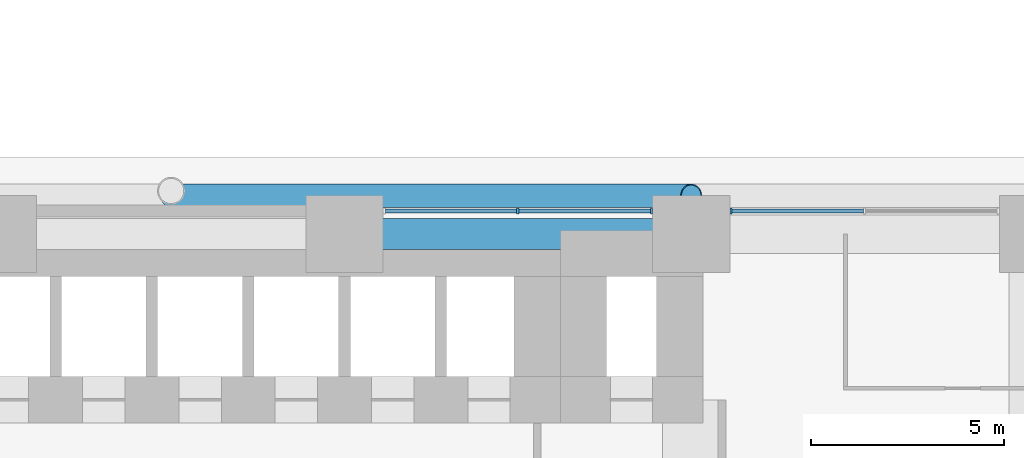
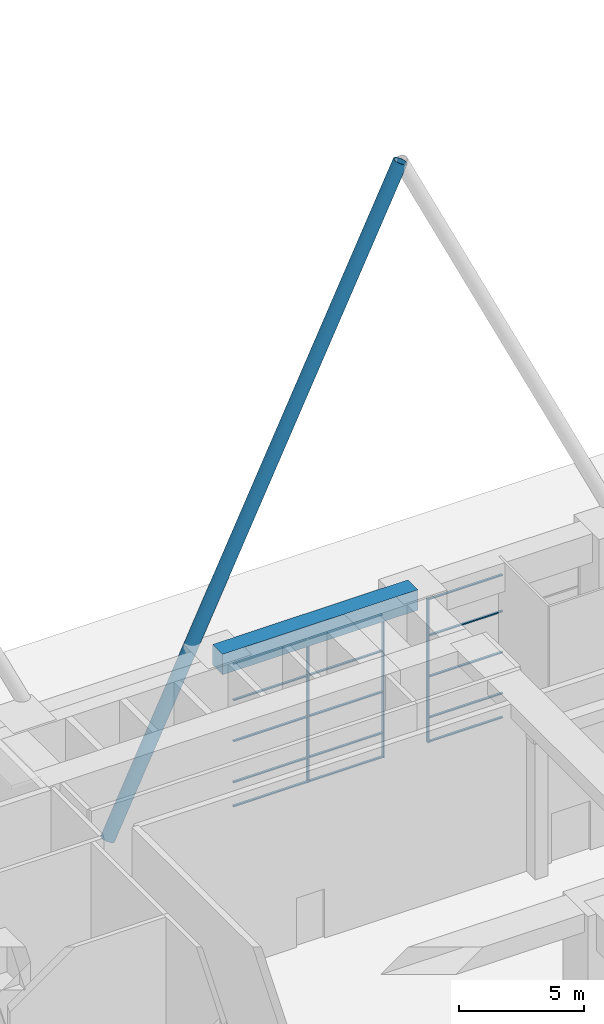
# One storey, part 18 of 44: 19 members, 1 beam, 2 elements without a shape of their own.
"""IFC4 building model written with IfcOpenShell, lengths in metres."""

from ifc_helpers import new_model, si_unit, direction, frame, origin, origin_2d, place, context, subcontext, project, spatial, rectangle, hollow_circle, extrude, material, material_profile, profile_set, type_object, element, aggregate, save


model = new_model("IFC4")

# Units and contexts
model_context = context("Model", 3, precision=1e-05, world=origin(), true_north=direction((0.0, 1.0)))
body_context = subcontext(model_context, "Body", "Model", "MODEL_VIEW")
ifc_project = project(units=[si_unit("LENGTHUNIT", "METRE"), si_unit("AREAUNIT", "SQUARE_METRE"), si_unit("VOLUMEUNIT", "CUBIC_METRE"), si_unit("PLANEANGLEUNIT", "RADIAN"), si_unit("MASSUNIT", "GRAM", prefix="KILO")], contexts=[model_context])

# Site, building, storey
site_placement = place(None, origin())
site = spatial("IfcSite", under=ifc_project, at=site_placement, CompositionType="ELEMENT")
building_placement = place(site_placement, origin())
building = spatial("IfcBuilding", under=site, at=building_placement, Name="Firuza Court", CompositionType="ELEMENT")
storey_placement = place(building_placement, origin())
storey = spatial("IfcBuildingStorey", under=building, at=storey_placement, Name="L00", CompositionType="ELEMENT", Elevation=0.0)

# Member
ifc_material_1 = material(Name="Steel S355", Category="steel")
ifc_material_profile_1 = material_profile(ifc_material_1, hollow_circle(Radius=0.304931640625, WallThickness=0.02490234375, at=origin_2d()), Name="CHS 610x25")
ifc_profile_set_1 = profile_set([ifc_material_profile_1], Name="Steel S355")
member_type_1 = type_object("IfcMemberType", Name="Diagrid diagonal CHS 610x25 S355", PredefinedType="USERDEFINED", material=ifc_profile_set_1)
member_1_placement = place(storey_placement, frame((13.5, 59.4951171875, 0.130859375), z_axis=(0.430315969648, 0.0, 0.902678329343), x_axis=(0.0, 1.0, 0.0)))
element("IfcMember", 1, at=member_1_placement, inside=storey, type_object=member_type_1, Name="Diagrid diagonal L00 to L05", ObjectType="DIAGRID", PredefinedType="USERDEFINED", context=body_context, shape_type="SweptSolid", body=[
    extrude(hollow_circle(Radius=0.304931640625, WallThickness=0.02490234375, at=origin_2d()), origin(), (0.0, 0.0, 1.0), 31.372314453125),
])

# Curtain wall, member
ifc_material_2 = material(Name="Aluminium curtain wall, triple clear glazing", Category="aluminium")
curtain_wall_type = type_object("IfcCurtainWallType", Name="Ground lobby stick shopfront CW2", PredefinedType="NOTDEFINED", material=ifc_material_2)
curtain_wall_1_placement = place(storey_placement, origin())
curtain_wall_1 = element("IfcCurtainWall", 2, at=curtain_wall_1_placement, inside=storey, type_object=curtain_wall_type, Name="Ground lobby stick shopfront CW2 L00", PredefinedType="NOTDEFINED")
ifc_material_3 = material(Name="Aluminium EN AW-6060 T66", Category="aluminium")
ifc_material_profile_2 = material_profile(ifc_material_3, rectangle(XDim=0.14990234375, YDim=0.06005859375, at=origin_2d()), Name="Mullion 150 x 60 CW2")
ifc_profile_set_2 = profile_set([ifc_material_profile_2], Name="Aluminium EN AW-6060 T66")
member_type_2 = type_object("IfcMemberType", Name="Mullion 150 x 60 CW2", PredefinedType="MULLION", material=ifc_profile_set_2)
member_2_placement = place(storey_placement, frame((28.030029296875, 59.10009765625, 0.0), z_axis=(0.0, 0.0, 1.0), x_axis=(0.0, -1.0, 0.0)))
member_2 = element("IfcMember", 3, at=member_2_placement, type_object=member_type_2, Name="CW2 mullion 3", PredefinedType="MULLION", context=body_context, shape_type="SweptSolid", body=[
    extrude(rectangle(XDim=0.14990234375, YDim=0.06005859375, at=origin_2d()), origin(), (0.0, 0.0, 1.0), 7.0),
])

# Curtain wall, members
curtain_wall_2_placement = place(storey_placement, origin())
curtain_wall_2 = element("IfcCurtainWall", 4, at=curtain_wall_2_placement, inside=storey, type_object=curtain_wall_type, Name="Ground lobby stick shopfront CW2 L00", PredefinedType="NOTDEFINED")
member_3_placement = place(storey_placement, frame((25.969970703125, 59.10009765625, 0.0), z_axis=(0.0, 0.0, 1.0), x_axis=(0.0, -1.0, 0.0)))
member_3 = element("IfcMember", 5, at=member_3_placement, type_object=member_type_2, Name="CW2 mullion 1", PredefinedType="MULLION", context=body_context, shape_type="SweptSolid", body=[
    extrude(rectangle(XDim=0.14990234375, YDim=0.06005859375, at=origin_2d()), origin(), (0.0, 0.0, 1.0), 7.0),
])
member_4_placement = place(storey_placement, frame((22.5, 59.10009765625, 0.0), z_axis=(0.0, 0.0, 1.0), x_axis=(0.0, -1.0, 0.0)))
member_4 = element("IfcMember", 6, at=member_4_placement, type_object=member_type_2, Name="CW2 mullion 2", PredefinedType="MULLION", context=body_context, shape_type="SweptSolid", body=[
    extrude(rectangle(XDim=0.14990234375, YDim=0.06005859375, at=origin_2d()), origin(), (0.0, 0.0, 1.0), 7.0),
])

# Beam
ifc_material_4 = material(Name="Concrete C60/75", Category="concrete")
ifc_material_profile_3 = material_profile(ifc_material_4, rectangle(XDim=0.800048828125, YDim=1.0, at=origin_2d()), Name="RC 800x1000")
ifc_profile_set_3 = profile_set([ifc_material_profile_3], Name="Concrete C60/75")
beam_type = type_object("IfcBeamType", Name="Transfer girder RC 800x1000 C60/75", PredefinedType="USERDEFINED", material=ifc_profile_set_3)
beam_placement = place(storey_placement, frame((27.0, 58.5, 7.89990234375), z_axis=(-1.0, 0.0, 0.0), x_axis=(0.0, -1.0, 0.0)))
element("IfcBeam", 7, at=beam_placement, inside=storey, type_object=beam_type, Name="Transfer girder TG2 level L01", ObjectType="TRANSFER GIRDER", PredefinedType="USERDEFINED", context=body_context, shape_type="SweptSolid", body=[
    extrude(rectangle(XDim=0.800048828125, YDim=1.0, at=origin_2d()), origin(), (0.0, 0.0, 1.0), 9.0),
])

# Member
ifc_material_5 = material(Name="Aluminium EN AW-6060 T66", Category="aluminium")
ifc_material_profile_4 = material_profile(ifc_material_5, rectangle(XDim=0.10009765625, YDim=0.06005859375, at=origin_2d()), Name="Transom 100 x 60 CW2")
ifc_profile_set_4 = profile_set([ifc_material_profile_4], Name="Aluminium EN AW-6060 T66")
member_type_3 = type_object("IfcMemberType", Name="Transom 100 x 60 CW2", PredefinedType="USERDEFINED", material=ifc_profile_set_4)
member_5_placement = place(storey_placement, frame((31.469970703125, 59.10009765625, 0.030029296875), z_axis=(-1.0, 0.0, 0.0), x_axis=(0.0, -1.0, 0.0)))
member_5 = element("IfcMember", 8, at=member_5_placement, type_object=member_type_3, Name="CW2 transom 2.1", ObjectType="TRANSOM", PredefinedType="USERDEFINED", context=body_context, shape_type="SweptSolid", body=[
    extrude(rectangle(XDim=0.10009765625, YDim=0.06005859375, at=origin_2d()), origin(), (0.0, 0.0, 1.0), 3.409912109375),
])

member_6_placement = place(storey_placement, frame((31.469970703125, 59.10009765625, 1.199951171875), z_axis=(-1.0, 0.0, 0.0), x_axis=(0.0, -1.0, 0.0)))
member_6 = element("IfcMember", 9, at=member_6_placement, type_object=member_type_3, Name="CW2 transom 2.2", ObjectType="TRANSOM", PredefinedType="USERDEFINED", context=body_context, shape_type="SweptSolid", body=[
    extrude(rectangle(XDim=0.10009765625, YDim=0.06005859375, at=origin_2d()), origin(), (0.0, 0.0, 1.0), 3.409912109375),
])

member_7_placement = place(storey_placement, frame((31.469970703125, 59.10009765625, 3.199951171875), z_axis=(-1.0, 0.0, 0.0), x_axis=(0.0, -1.0, 0.0)))
member_7 = element("IfcMember", 10, at=member_7_placement, type_object=member_type_3, Name="CW2 transom 2.3", ObjectType="TRANSOM", PredefinedType="USERDEFINED", context=body_context, shape_type="SweptSolid", body=[
    extrude(rectangle(XDim=0.10009765625, YDim=0.06005859375, at=origin_2d()), origin(), (0.0, 0.0, 1.0), 3.409912109375),
])

member_8_placement = place(storey_placement, frame((31.469970703125, 59.10009765625, 5.199951171875), z_axis=(-1.0, 0.0, 0.0), x_axis=(0.0, -1.0, 0.0)))
member_8 = element("IfcMember", 11, at=member_8_placement, type_object=member_type_3, Name="CW2 transom 2.4", ObjectType="TRANSOM", PredefinedType="USERDEFINED", context=body_context, shape_type="SweptSolid", body=[
    extrude(rectangle(XDim=0.10009765625, YDim=0.06005859375, at=origin_2d()), origin(), (0.0, 0.0, 1.0), 3.409912109375),
])

member_9_placement = place(storey_placement, frame((31.469970703125, 59.10009765625, 6.969970703125), z_axis=(-1.0, 0.0, 0.0), x_axis=(0.0, -1.0, 0.0)))
member_9 = element("IfcMember", 12, at=member_9_placement, type_object=member_type_3, Name="CW2 transom 2.5", ObjectType="TRANSOM", PredefinedType="USERDEFINED", context=body_context, shape_type="SweptSolid", body=[
    extrude(rectangle(XDim=0.10009765625, YDim=0.06005859375, at=origin_2d()), origin(), (0.0, 0.0, 1.0), 3.409912109375),
])

aggregate(curtain_wall_1, [member_2, member_5, member_6, member_7, member_8, member_9])

member_10_placement = place(storey_placement, frame((25.93994140625, 59.10009765625, 0.030029296875), z_axis=(-1.0, 0.0, 0.0), x_axis=(0.0, -1.0, 0.0)))
member_10 = element("IfcMember", 13, at=member_10_placement, type_object=member_type_3, Name="CW2 transom 1.1", ObjectType="TRANSOM", PredefinedType="USERDEFINED", context=body_context, shape_type="SweptSolid", body=[
    extrude(rectangle(XDim=0.10009765625, YDim=0.06005859375, at=origin_2d()), origin(), (0.0, 0.0, 1.0), 3.409912109375),
])

member_11_placement = place(storey_placement, frame((25.93994140625, 59.10009765625, 1.199951171875), z_axis=(-1.0, 0.0, 0.0), x_axis=(0.0, -1.0, 0.0)))
member_11 = element("IfcMember", 14, at=member_11_placement, type_object=member_type_3, Name="CW2 transom 1.2", ObjectType="TRANSOM", PredefinedType="USERDEFINED", context=body_context, shape_type="SweptSolid", body=[
    extrude(rectangle(XDim=0.10009765625, YDim=0.06005859375, at=origin_2d()), origin(), (0.0, 0.0, 1.0), 3.409912109375),
])

member_12_placement = place(storey_placement, frame((25.93994140625, 59.10009765625, 3.199951171875), z_axis=(-1.0, 0.0, 0.0), x_axis=(0.0, -1.0, 0.0)))
member_12 = element("IfcMember", 15, at=member_12_placement, type_object=member_type_3, Name="CW2 transom 1.3", ObjectType="TRANSOM", PredefinedType="USERDEFINED", context=body_context, shape_type="SweptSolid", body=[
    extrude(rectangle(XDim=0.10009765625, YDim=0.06005859375, at=origin_2d()), origin(), (0.0, 0.0, 1.0), 3.409912109375),
])

member_13_placement = place(storey_placement, frame((25.93994140625, 59.10009765625, 5.199951171875), z_axis=(-1.0, 0.0, 0.0), x_axis=(0.0, -1.0, 0.0)))
member_13 = element("IfcMember", 16, at=member_13_placement, type_object=member_type_3, Name="CW2 transom 1.4", ObjectType="TRANSOM", PredefinedType="USERDEFINED", context=body_context, shape_type="SweptSolid", body=[
    extrude(rectangle(XDim=0.10009765625, YDim=0.06005859375, at=origin_2d()), origin(), (0.0, 0.0, 1.0), 3.409912109375),
])

member_14_placement = place(storey_placement, frame((25.93994140625, 59.10009765625, 6.969970703125), z_axis=(-1.0, 0.0, 0.0), x_axis=(0.0, -1.0, 0.0)))
member_14 = element("IfcMember", 17, at=member_14_placement, type_object=member_type_3, Name="CW2 transom 1.5", ObjectType="TRANSOM", PredefinedType="USERDEFINED", context=body_context, shape_type="SweptSolid", body=[
    extrude(rectangle(XDim=0.10009765625, YDim=0.06005859375, at=origin_2d()), origin(), (0.0, 0.0, 1.0), 3.409912109375),
])

member_15_placement = place(storey_placement, frame((22.469970703125, 59.10009765625, 0.030029296875), z_axis=(-1.0, 0.0, 0.0), x_axis=(0.0, -1.0, 0.0)))
member_15 = element("IfcMember", 18, at=member_15_placement, type_object=member_type_3, Name="CW2 transom 2.1", ObjectType="TRANSOM", PredefinedType="USERDEFINED", context=body_context, shape_type="SweptSolid", body=[
    extrude(rectangle(XDim=0.10009765625, YDim=0.06005859375, at=origin_2d()), origin(), (0.0, 0.0, 1.0), 3.409912109375),
])

member_16_placement = place(storey_placement, frame((22.469970703125, 59.10009765625, 1.199951171875), z_axis=(-1.0, 0.0, 0.0), x_axis=(0.0, -1.0, 0.0)))
member_16 = element("IfcMember", 19, at=member_16_placement, type_object=member_type_3, Name="CW2 transom 2.2", ObjectType="TRANSOM", PredefinedType="USERDEFINED", context=body_context, shape_type="SweptSolid", body=[
    extrude(rectangle(XDim=0.10009765625, YDim=0.06005859375, at=origin_2d()), origin(), (0.0, 0.0, 1.0), 3.409912109375),
])

member_17_placement = place(storey_placement, frame((22.469970703125, 59.10009765625, 3.199951171875), z_axis=(-1.0, 0.0, 0.0), x_axis=(0.0, -1.0, 0.0)))
member_17 = element("IfcMember", 20, at=member_17_placement, type_object=member_type_3, Name="CW2 transom 2.3", ObjectType="TRANSOM", PredefinedType="USERDEFINED", context=body_context, shape_type="SweptSolid", body=[
    extrude(rectangle(XDim=0.10009765625, YDim=0.06005859375, at=origin_2d()), origin(), (0.0, 0.0, 1.0), 3.409912109375),
])

member_18_placement = place(storey_placement, frame((22.469970703125, 59.10009765625, 5.199951171875), z_axis=(-1.0, 0.0, 0.0), x_axis=(0.0, -1.0, 0.0)))
member_18 = element("IfcMember", 21, at=member_18_placement, type_object=member_type_3, Name="CW2 transom 2.4", ObjectType="TRANSOM", PredefinedType="USERDEFINED", context=body_context, shape_type="SweptSolid", body=[
    extrude(rectangle(XDim=0.10009765625, YDim=0.06005859375, at=origin_2d()), origin(), (0.0, 0.0, 1.0), 3.409912109375),
])

member_19_placement = place(storey_placement, frame((22.469970703125, 59.10009765625, 6.969970703125), z_axis=(-1.0, 0.0, 0.0), x_axis=(0.0, -1.0, 0.0)))
member_19 = element("IfcMember", 22, at=member_19_placement, type_object=member_type_3, Name="CW2 transom 2.5", ObjectType="TRANSOM", PredefinedType="USERDEFINED", context=body_context, shape_type="SweptSolid", body=[
    extrude(rectangle(XDim=0.10009765625, YDim=0.06005859375, at=origin_2d()), origin(), (0.0, 0.0, 1.0), 3.409912109375),
])

aggregate(curtain_wall_2, [member_3, member_4, member_10, member_11, member_12, member_13, member_14, member_15, member_16, member_17, member_18, member_19])

save(model, "model.ifc")
